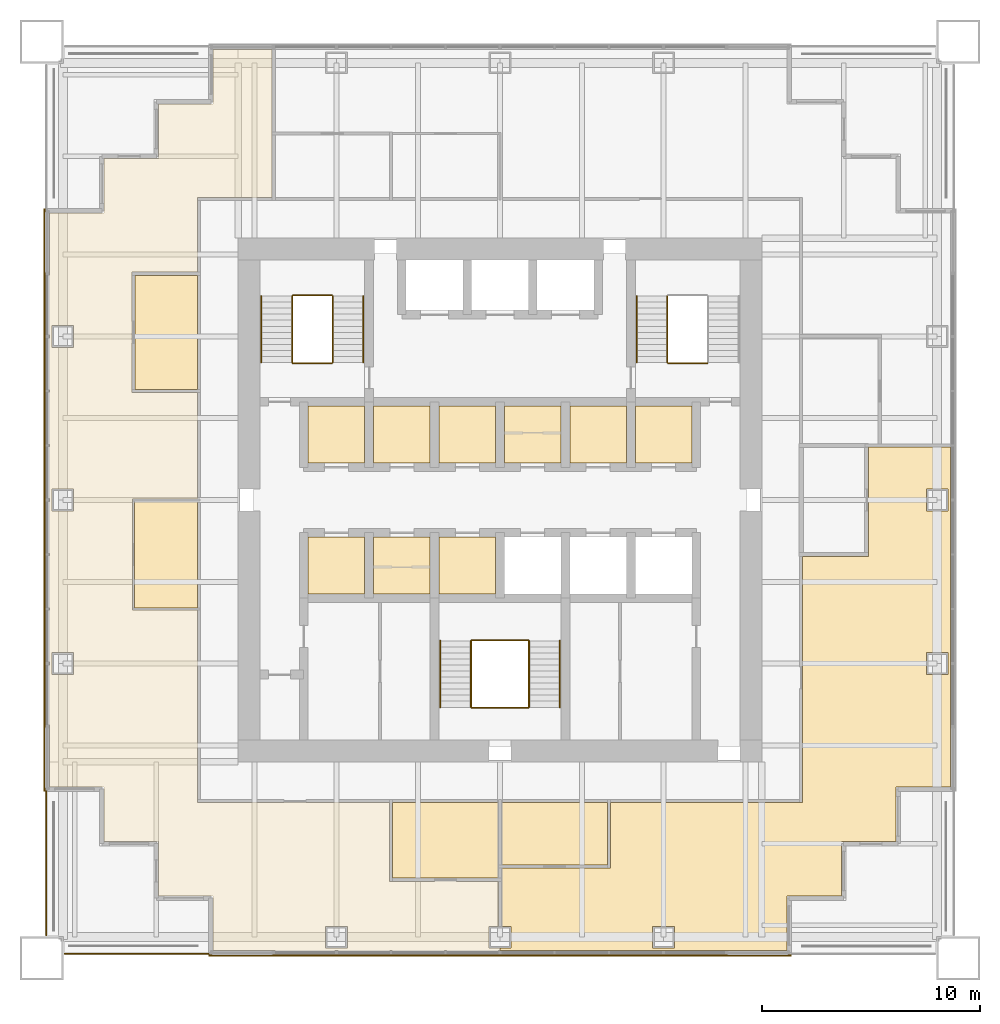
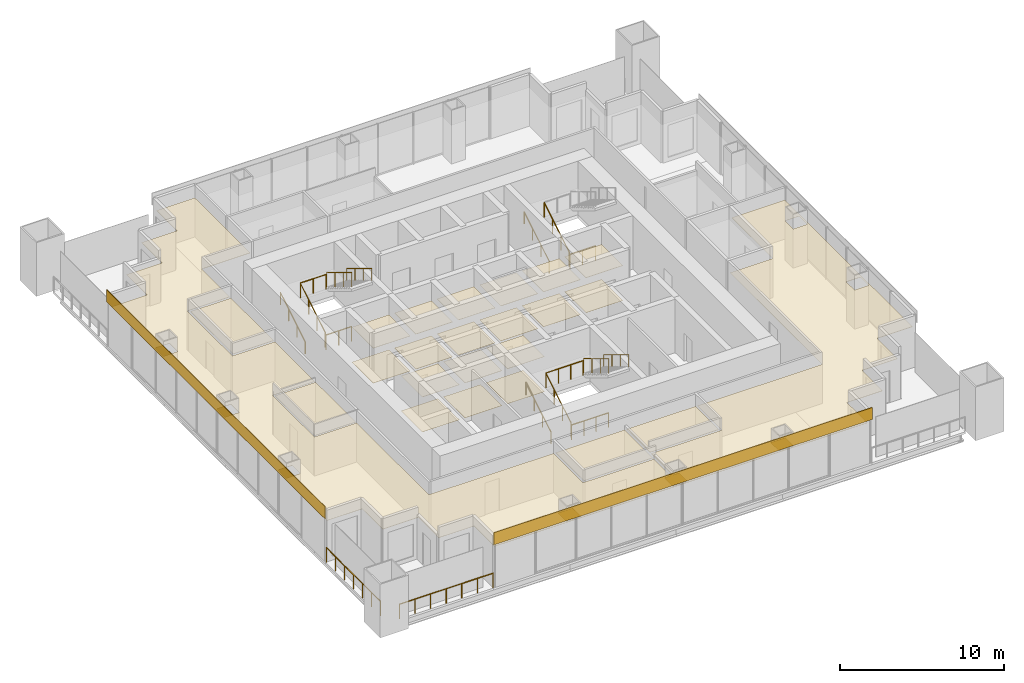
# One storey, part 13 of 14: 26 coverings, 17 railings.
"""IFC4 building model written with IfcOpenShell, lengths in metres."""

import ifcopenshell
import ifcopenshell.guid

model = None  # the IFC model being written
_history = None  # IfcOwnerHistory: only IFC2X3 demands one
_inside = {}  # id of a spatial element -> (the spatial element, [elements in it])
_under = {}  # id of a project, library or spatial element -> (it, [spatial elements below it])
_declared = {}  # id of a project -> (the project, [libraries it declares])
_typed = {}  # id of a type object -> (the type object, [elements of that type])
_made_of = {}  # id of a material, layer set ... -> (it, [elements and type objects made of it])


def new_model(schema):
    """Start an empty IFC model of exactly this schema.

    Asked for "IFC4X3", IfcOpenShell would pick the latest addendum, in which some entities
    have other attributes; the version numbers below select the first issue.
    IFC2X3 requires an IfcOwnerHistory on every rooted entity: one is made here for all.
    """
    global model, _history
    if schema == "IFC4X3":
        model = ifcopenshell.file(schema_version=(4, 3, 0, 0))
    else:
        model = ifcopenshell.file(schema=schema)
    _inside.clear()
    _under.clear()
    _declared.clear()
    _typed.clear()
    _made_of.clear()
    _history = None
    if model.schema == "IFC2X3":
        org = make("IfcOrganization", Name="unknown")
        user = make(
            "IfcPersonAndOrganization",
            ThePerson=make("IfcPerson", FamilyName="unknown"),
            TheOrganization=org,
        )
        app = make(
            "IfcApplication",
            ApplicationDeveloper=org,
            Version="unknown",
            ApplicationFullName="unknown",
            ApplicationIdentifier="unknown",
        )
        _history = make(
            "IfcOwnerHistory",
            OwningUser=user,
            OwningApplication=app,
            ChangeAction="ADDED",
            CreationDate=0,
        )
    return model


def make(cls, **values):
    """One entity of the class cls with the attributes given. An attribute that is None is left unset."""
    return model.create_entity(
        cls, **{name: value for name, value in values.items() if value is not None}
    )


def rooted(cls, **values):
    """An entity with a GlobalId (a new one), such as an element, a storey or a relation."""
    return make(cls, GlobalId=ifcopenshell.guid.new(), OwnerHistory=_history, **values)


def si_unit(unit_type, name, prefix=None):
    """IfcSIUnit, for example si_unit("LENGTHUNIT", "METRE", prefix="MILLI")."""
    return make("IfcSIUnit", UnitType=unit_type, Prefix=prefix, Name=name)


def assignment(units):
    """IfcUnitAssignment: the units of a project."""
    return None if units is None else make("IfcUnitAssignment", Units=units)


def point(xyz):
    """IfcCartesianPoint."""
    return None if xyz is None else make("IfcCartesianPoint", Coordinates=xyz)


def direction(xyz):
    """IfcDirection."""
    return None if xyz is None else make("IfcDirection", DirectionRatios=xyz)


def frame(location, z_axis=None, x_axis=None):
    """IfcAxis2Placement3D, a coordinate frame: its origin and axes. An axis left out is left unset."""
    return make(
        "IfcAxis2Placement3D",
        Location=point(location),
        Axis=direction(z_axis),
        RefDirection=direction(x_axis),
    )


def frame_2d(location, x_axis=None):
    """IfcAxis2Placement2D, a coordinate frame in the plane: its origin and x axis."""
    return make(
        "IfcAxis2Placement2D", Location=point(location), RefDirection=direction(x_axis)
    )


def origin():
    """The frame at (0, 0, 0) with its axes left unset."""
    return frame((0.0, 0.0, 0.0))


def origin_2d():
    """The frame at (0, 0) in the plane with its x axis left unset."""
    return frame_2d((0.0, 0.0))


def place(relative_to, where):
    """IfcLocalPlacement: puts the frame where relative to a parent placement (None: the world)."""
    return make(
        "IfcLocalPlacement", PlacementRelTo=relative_to, RelativePlacement=where
    )


def context(
    kind, dimensions, precision=None, world=None, true_north=None, identifier=None
):
    """IfcGeometricRepresentationContext, for example the 3D "Model" context."""
    return make(
        "IfcGeometricRepresentationContext",
        ContextIdentifier=identifier,
        ContextType=kind,
        CoordinateSpaceDimension=dimensions,
        Precision=precision,
        WorldCoordinateSystem=world,
        TrueNorth=true_north,
    )


def subcontext(parent, identifier, kind, view, scale=None):
    """IfcGeometricRepresentationSubContext, for example "Body" below "Model"."""
    return make(
        "IfcGeometricRepresentationSubContext",
        ContextIdentifier=identifier,
        ContextType=kind,
        ParentContext=parent,
        TargetScale=scale,
        TargetView=view,
    )


def project(units=None, contexts=None):
    """IfcProject with its units and contexts."""
    return rooted(
        "IfcProject",
        Name="project",
        RepresentationContexts=contexts,
        UnitsInContext=assignment(units),
    )


def spatial(cls, under=None, at=None, **own):
    """A site, building, storey or space (cls), placed at a placement, below another one or the project."""
    s = rooted(cls, ObjectPlacement=at, **own)
    if under is not None:
        _under.setdefault(under.id(), (under, []))[1].append(s)
    return s


def polyline(points):
    """IfcPolyline through the points."""
    return make("IfcPolyline", Points=[point(p) for p in points])


def profile(cls, at=None, kind="AREA", **sizes):
    """A parametric profile (cls). Its sizes go by their IFC names, for example OverallWidth=200.0."""
    return make(cls, ProfileType=kind, Position=at, **sizes)


def rectangle(**sizes):
    """IfcRectangleProfileDef."""
    return profile("IfcRectangleProfileDef", **sizes)


def circle(**sizes):
    """IfcCircleProfileDef."""
    return profile("IfcCircleProfileDef", **sizes)


def outline(outer, holes=None, kind="AREA"):
    """IfcArbitraryClosedProfileDef: a profile drawn as a closed curve; with holes, ...WithVoids."""
    if holes is None:
        return make("IfcArbitraryClosedProfileDef", ProfileType=kind, OuterCurve=outer)
    return make(
        "IfcArbitraryProfileDefWithVoids",
        ProfileType=kind,
        OuterCurve=outer,
        InnerCurves=holes,
    )


def extrude(swept, where, along, depth):
    """IfcExtrudedAreaSolid: the profile swept, set in the frame where, extruded along a direction by depth."""
    return make(
        "IfcExtrudedAreaSolid",
        SweptArea=swept,
        Position=where,
        ExtrudedDirection=direction(along),
        Depth=depth,
    )


def shape(context_of_items, identifier, shape_type, items):
    """IfcShapeRepresentation: the items that make up one representation, for example the "Body"."""
    return make(
        "IfcShapeRepresentation",
        ContextOfItems=context_of_items,
        RepresentationIdentifier=identifier,
        RepresentationType=shape_type,
        Items=items,
    )


def material(Name=None, Category=None):
    """IfcMaterial."""
    return make("IfcMaterial", Name=Name, Category=Category)


def layer(
    of_material, thickness, ventilated=None, Name=None, Category=None, Priority=None
):
    """IfcMaterialLayer: one layer of a wall or slab, of a material (None: an air gap)."""
    return make(
        "IfcMaterialLayer",
        Material=of_material,
        LayerThickness=thickness,
        IsVentilated=ventilated,
        Name=Name,
        Category=Category,
        Priority=Priority,
    )


def layer_set(layers, Name=None):
    """IfcMaterialLayerSet."""
    return make("IfcMaterialLayerSet", MaterialLayers=layers, LayerSetName=Name)


def made_of(thing, what):
    """Note that an element or type object is made of a material, layer set ...; save() writes the relation."""
    if what is not None:
        _made_of.setdefault(what.id(), (what, []))[1].append(thing)
    return thing


def type_object(cls, material=None, **own):
    """A type object (cls), such as IfcWallType, which elements share."""
    return made_of(rooted(cls, **own), material)


def element(
    cls,
    number,
    at=None,
    inside=None,
    cuts=None,
    type_object=None,
    material=None,
    context=None,
    identifier="Body",
    shape_type=None,
    held_by="IfcProductDefinitionShape",
    body=None,
    shapes=None,
    **own,
):
    """One element of the class cls, such as IfcWall. Its Tag is "e" and its number.

    at: its placement. inside: the storey or other place that contains it. cuts: it is an
    opening in that element (IfcRelVoidsElement). A single representation is given by context,
    identifier, shape_type and body (its items); several are given by shapes. held_by: the class
    of the entity that holds the representations. save() writes the other relations.
    """
    e = rooted(cls, Tag="e%d" % number, ObjectPlacement=at, **own)
    if body is not None:
        shapes = [shape(context, identifier, shape_type, body)]
    if shapes is not None:
        e.Representation = make(held_by, Representations=shapes)
    if inside is not None:
        _inside.setdefault(inside.id(), (inside, []))[1].append(e)
    if cuts is not None:
        rooted(
            "IfcRelVoidsElement", RelatingBuildingElement=cuts, RelatedOpeningElement=e
        )
    if type_object is not None:
        _typed.setdefault(type_object.id(), (type_object, []))[1].append(e)
    return made_of(e, material)


def aggregate(whole, parts):
    """IfcRelAggregates: a whole, such as a stair, and the parts it consists of."""
    return rooted("IfcRelAggregates", RelatingObject=whole, RelatedObjects=parts)


def save(model, path):
    """Write the relations noted so far, then the file.

    IfcRelAggregates (storeys below a building ...), IfcRelContainedInSpatialStructure (elements
    in a storey), IfcRelDefinesByType, IfcRelAssociatesMaterial and IfcRelDeclares: one each for
    every whole, place, type object, material and project.
    """
    for whole, parts in _under.values():
        aggregate(whole, parts)
    for where, things in _inside.values():
        rooted(
            "IfcRelContainedInSpatialStructure",
            RelatedElements=things,
            RelatingStructure=where,
        )
    for kind, things in _typed.values():
        rooted("IfcRelDefinesByType", RelatedObjects=things, RelatingType=kind)
    for what, things in _made_of.values():
        rooted("IfcRelAssociatesMaterial", RelatedObjects=things, RelatingMaterial=what)
    for by, libraries in _declared.values():
        rooted("IfcRelDeclares", RelatingContext=by, RelatedDefinitions=libraries)
    model.write(path)


model = new_model("IFC4")

# Units and contexts
model_context = context("Model", 3, precision=1e-05, world=origin(), true_north=direction((0.0, 1.0)))
body_context = subcontext(model_context, "Body", "Model", "MODEL_VIEW")
ifc_project = project(units=[si_unit("LENGTHUNIT", "METRE"), si_unit("AREAUNIT", "SQUARE_METRE"), si_unit("VOLUMEUNIT", "CUBIC_METRE"), si_unit("PLANEANGLEUNIT", "RADIAN"), si_unit("MASSUNIT", "GRAM", prefix="KILO")], contexts=[model_context])

# Site, building, storey
site_placement = place(None, origin())
site = spatial("IfcSite", under=ifc_project, at=site_placement, CompositionType="ELEMENT")
building_placement = place(site_placement, origin())
building = spatial("IfcBuilding", under=site, at=building_placement, Name="Tarangal Relay Tower", CompositionType="ELEMENT")
storey_placement = place(building_placement, frame((0.0, 0.0, 263.89990234375)))
storey = spatial("IfcBuildingStorey", under=building, at=storey_placement, Name="L57", CompositionType="ELEMENT", Elevation=263.89990234375)

# Coverings
ifc_material_1 = material(Name="Anti-static vinyl flooring", Category="plastic")
ifc_layer_1 = layer(ifc_material_1, 0.010009765625)
ifc_layer_set_1 = layer_set([ifc_layer_1], Name="Anti-static vinyl floor")
covering_type_1 = type_object("IfcCoveringType", Name="Anti-static vinyl floor", PredefinedType="FLOORING", material=ifc_layer_set_1)
covering_1_placement = place(storey_placement, origin())
element("IfcCovering", 1, at=covering_1_placement, inside=storey, type_object=covering_type_1, Name="Floor finish FL1 L57-D1", PredefinedType="FLOORING", context=body_context, shape_type="SweptSolid", body=[
    extrude(outline(polyline([(-8.800048828125, 1.699951171875), (-6.199951171875, 1.699951171875), (-6.199951171875, 4.300048828125), (-8.800048828125, 4.300048828125), (-8.800048828125, 1.699951171875)])), origin(), (0.0, 0.0, 1.0), 0.010009765625),
])
covering_2_placement = place(storey_placement, origin())
element("IfcCovering", 2, at=covering_2_placement, inside=storey, type_object=covering_type_1, Name="Floor finish FL1 L57-D2", PredefinedType="FLOORING", context=body_context, shape_type="SweptSolid", body=[
    extrude(outline(polyline([(-5.800048828125, 1.699951171875), (-3.199951171875, 1.699951171875), (-3.199951171875, 4.300048828125), (-5.800048828125, 4.300048828125), (-5.800048828125, 1.699951171875)])), origin(), (0.0, 0.0, 1.0), 0.010009765625),
])
covering_3_placement = place(storey_placement, origin())
element("IfcCovering", 3, at=covering_3_placement, inside=storey, type_object=covering_type_1, Name="Floor finish FL1 L57-D3", PredefinedType="FLOORING", context=body_context, shape_type="SweptSolid", body=[
    extrude(outline(polyline([(-2.800048828125, 1.699951171875), (-0.199951171875, 1.699951171875), (-0.199951171875, 4.300048828125), (-2.800048828125, 4.300048828125), (-2.800048828125, 1.699951171875)])), origin(), (0.0, 0.0, 1.0), 0.010009765625),
])
covering_4_placement = place(storey_placement, origin())
element("IfcCovering", 4, at=covering_4_placement, inside=storey, type_object=covering_type_1, Name="Floor finish FL1 L57-T1", PredefinedType="FLOORING", context=body_context, shape_type="SweptSolid", body=[
    extrude(outline(polyline([(0.199951171875, 1.699951171875), (2.800048828125, 1.699951171875), (2.800048828125, 4.300048828125), (0.199951171875, 4.300048828125), (0.199951171875, 1.699951171875)])), origin(), (0.0, 0.0, 1.0), 0.010009765625),
])
covering_5_placement = place(storey_placement, origin())
element("IfcCovering", 5, at=covering_5_placement, inside=storey, type_object=covering_type_1, Name="Floor finish FL1 L57-T2", PredefinedType="FLOORING", context=body_context, shape_type="SweptSolid", body=[
    extrude(outline(polyline([(3.199951171875, 1.699951171875), (5.800048828125, 1.699951171875), (5.800048828125, 4.300048828125), (3.199951171875, 4.300048828125), (3.199951171875, 1.699951171875)])), origin(), (0.0, 0.0, 1.0), 0.010009765625),
])
covering_6_placement = place(storey_placement, origin())
element("IfcCovering", 6, at=covering_6_placement, inside=storey, type_object=covering_type_1, Name="Floor finish FL1 L57-T3", PredefinedType="FLOORING", context=body_context, shape_type="SweptSolid", body=[
    extrude(outline(polyline([(6.199951171875, 1.699951171875), (8.800048828125, 1.699951171875), (8.800048828125, 4.300048828125), (6.199951171875, 4.300048828125), (6.199951171875, 1.699951171875)])), origin(), (0.0, 0.0, 1.0), 0.010009765625),
])
covering_7_placement = place(storey_placement, origin())
element("IfcCovering", 7, at=covering_7_placement, inside=storey, type_object=covering_type_1, Name="Floor finish FL1 L57-S1", PredefinedType="FLOORING", context=body_context, shape_type="SweptSolid", body=[
    extrude(outline(polyline([(-8.800048828125, -4.300048828125), (-6.199951171875, -4.300048828125), (-6.199951171875, -1.699951171875), (-8.800048828125, -1.699951171875), (-8.800048828125, -4.300048828125)])), origin(), (0.0, 0.0, 1.0), 0.010009765625),
])
covering_8_placement = place(storey_placement, origin())
element("IfcCovering", 8, at=covering_8_placement, inside=storey, type_object=covering_type_1, Name="Floor finish FL1 L57-S2", PredefinedType="FLOORING", context=body_context, shape_type="SweptSolid", body=[
    extrude(outline(polyline([(-5.800048828125, -4.300048828125), (-3.199951171875, -4.300048828125), (-3.199951171875, -1.699951171875), (-5.800048828125, -1.699951171875), (-5.800048828125, -4.300048828125)])), origin(), (0.0, 0.0, 1.0), 0.010009765625),
])
covering_9_placement = place(storey_placement, origin())
element("IfcCovering", 9, at=covering_9_placement, inside=storey, type_object=covering_type_1, Name="Floor finish FL1 L57-S3", PredefinedType="FLOORING", context=body_context, shape_type="SweptSolid", body=[
    extrude(outline(polyline([(-2.800048828125, -4.300048828125), (-0.199951171875, -4.300048828125), (-0.199951171875, -1.699951171875), (-2.800048828125, -1.699951171875), (-2.800048828125, -4.300048828125)])), origin(), (0.0, 0.0, 1.0), 0.010009765625),
])
ifc_material_2 = material(Name="Black anodised aluminium cladding", Category="aluminium")
ifc_layer_2 = layer(ifc_material_2, 0.050048828125)
ifc_layer_set_2 = layer_set([ifc_layer_2], Name="Black metal spandrel band")
covering_type_2 = type_object("IfcCoveringType", Name="Black metal spandrel band", PredefinedType="CLADDING", material=ifc_layer_set_2)
for number, where, z_axis, x_axis, name in (
    (10, (0.0, -20.875, 3.250244140625), (0.0, 0.0, 1.0), (-1.0, 0.0, 0.0), "Spandrel band SB1 S L57"),
    (11, (-20.875, 0.0, 3.250244140625), (0.0, 0.0, 1.0), (0.0, 1.0, 0.0), "Spandrel band SB1 W L57"),
):
    element("IfcCovering", number, at=place(storey_placement, frame(where, z_axis=z_axis, x_axis=x_axis)), inside=storey, type_object=covering_type_2, Name=name, PredefinedType="CLADDING", context=body_context, shape_type="SweptSolid", body=[
        extrude(rectangle(XDim=26.699951171875, YDim=0.050048828125, at=origin_2d()), origin(), (0.0, 0.0, 1.0), 0.89990234375),
    ])

# Railings
ifc_material_3 = material(Name="Steel guard, black finish", Category="steel")
railing_type_1 = type_object("IfcRailingType", Name="Stair guard 1100", PredefinedType="GUARDRAIL", material=ifc_material_3)
railing_1_placement = place(storey_placement, frame((-9.530029296875, 6.300048828125, 0.166748046875)))
element("IfcRailing", 12, at=railing_1_placement, inside=storey, type_object=railing_type_1, Name="Stair ST-A guard GR1 L57 flight 1", PredefinedType="GUARDRAIL", context=body_context, shape_type="SweptSolid", body=[
    extrude(circle(Radius=0.02392578125, at=origin_2d()), frame((0.0, 0.0, 1.076171875), z_axis=(0.0, 0.85685617095, 0.515555527858), x_axis=(-1.0, 0.0, 0.0)), (0.0, 0.0, 1.0), 3.555908203125),
    extrude(circle(Radius=0.02099609375, at=origin_2d()), origin(), (0.0, 0.0, 1.0), 1.052001953125),
    extrude(circle(Radius=0.02099609375, at=origin_2d()), frame((0.0, 1.015625, 0.611083984375)), (0.0, 0.0, 1.0), 1.052001953125),
    extrude(circle(Radius=0.02099609375, at=origin_2d()), frame((0.0, 2.03125, 1.22216796875)), (0.0, 0.0, 1.0), 1.052001953125),
    extrude(circle(Radius=0.02099609375, at=origin_2d()), frame((0.0, 3.046875, 1.833251953125)), (0.0, 0.0, 1.0), 1.052001953125),
])
railing_2_placement = place(storey_placement, frame((-7.669921875, 9.346923828125, 2.166748046875)))
element("IfcRailing", 13, at=railing_2_placement, inside=storey, type_object=railing_type_1, Name="Stair ST-A guard GR1 L57 flight 2", PredefinedType="GUARDRAIL", context=body_context, shape_type="SweptSolid", body=[
    extrude(circle(Radius=0.02392578125, at=origin_2d()), frame((0.0, 0.0, 1.076171875), z_axis=(0.0, -0.85685617095, 0.515555527858), x_axis=(1.0, 0.0, 0.0)), (0.0, 0.0, 1.0), 3.555908203125),
    extrude(circle(Radius=0.02099609375, at=origin_2d()), origin(), (0.0, 0.0, 1.0), 1.052001953125),
    extrude(circle(Radius=0.02099609375, at=origin_2d()), frame((0.0, -1.015625, 0.611083984375)), (0.0, 0.0, 1.0), 1.052001953125),
    extrude(circle(Radius=0.02099609375, at=origin_2d()), frame((0.0, -2.03125, 1.22216796875)), (0.0, 0.0, 1.0), 1.052001953125),
    extrude(circle(Radius=0.02099609375, at=origin_2d()), frame((0.0, -3.046875, 1.833251953125)), (0.0, 0.0, 1.0), 1.052001953125),
])
for number, where, name in (
    (14, (-9.5, 6.27001953125, 0.0), "Stair ST-A landing guard GR1 L57"),
    (15, (-9.5, 9.376953125, 2.0), "Stair ST-A landing guard GR1 L57"),
):
    element("IfcRailing", number, at=place(storey_placement, frame(where)), inside=storey, type_object=railing_type_1, Name=name, PredefinedType="GUARDRAIL", context=body_context, shape_type="SweptSolid", body=[
        extrude(circle(Radius=0.02392578125, at=origin_2d()), frame((0.0, 0.0, 1.076171875), z_axis=(1.0, 0.0, 0.0), x_axis=(0.0, 1.0, 0.0)), (0.0, 0.0, 1.0), 1.800048828125),
        extrude(circle(Radius=0.02099609375, at=origin_2d()), origin(), (0.0, 0.0, 1.0), 1.052001953125),
        extrude(circle(Radius=0.02099609375, at=origin_2d()), frame((0.89990234375, 0.0, 0.0)), (0.0, 0.0, 1.0), 1.052001953125),
        extrude(circle(Radius=0.02099609375, at=origin_2d()), frame((1.800048828125, 0.0, 0.0)), (0.0, 0.0, 1.0), 1.052001953125),
    ])
railing_3_placement = place(storey_placement, frame((7.669921875, 6.300048828125, 0.166748046875)))
element("IfcRailing", 16, at=railing_3_placement, inside=storey, type_object=railing_type_1, Name="Stair ST-B guard GR1 L57 flight 1", PredefinedType="GUARDRAIL", context=body_context, shape_type="SweptSolid", body=[
    extrude(circle(Radius=0.02392578125, at=origin_2d()), frame((0.0, 0.0, 1.076171875), z_axis=(0.0, 0.85685617095, 0.515555527858), x_axis=(-1.0, 0.0, 0.0)), (0.0, 0.0, 1.0), 3.555908203125),
    extrude(circle(Radius=0.02099609375, at=origin_2d()), origin(), (0.0, 0.0, 1.0), 1.052001953125),
    extrude(circle(Radius=0.02099609375, at=origin_2d()), frame((0.0, 1.015625, 0.611083984375)), (0.0, 0.0, 1.0), 1.052001953125),
    extrude(circle(Radius=0.02099609375, at=origin_2d()), frame((0.0, 2.03125, 1.22216796875)), (0.0, 0.0, 1.0), 1.052001953125),
    extrude(circle(Radius=0.02099609375, at=origin_2d()), frame((0.0, 3.046875, 1.833251953125)), (0.0, 0.0, 1.0), 1.052001953125),
])
railing_4_placement = place(storey_placement, frame((7.699951171875, 6.27001953125, 0.0)))
element("IfcRailing", 17, at=railing_4_placement, inside=storey, type_object=railing_type_1, Name="Stair ST-B landing guard GR1 L57", PredefinedType="GUARDRAIL", context=body_context, shape_type="SweptSolid", body=[
    extrude(circle(Radius=0.02392578125, at=origin_2d()), frame((0.0, 0.0, 1.076171875), z_axis=(1.0, 0.0, 0.0), x_axis=(0.0, 1.0, 0.0)), (0.0, 0.0, 1.0), 1.800048828125),
    extrude(circle(Radius=0.02099609375, at=origin_2d()), origin(), (0.0, 0.0, 1.0), 1.052001953125),
    extrude(circle(Radius=0.02099609375, at=origin_2d()), frame((0.89990234375, 0.0, 0.0)), (0.0, 0.0, 1.0), 1.052001953125),
    extrude(circle(Radius=0.02099609375, at=origin_2d()), frame((1.800048828125, 0.0, 0.0)), (0.0, 0.0, 1.0), 1.052001953125),
])
railing_5_placement = place(storey_placement, frame((-1.330078125, -9.5, 0.166748046875)))
element("IfcRailing", 18, at=railing_5_placement, inside=storey, type_object=railing_type_1, Name="Stair ST-C guard GR1 L57 flight 1", PredefinedType="GUARDRAIL", context=body_context, shape_type="SweptSolid", body=[
    extrude(circle(Radius=0.02392578125, at=origin_2d()), frame((0.0, 0.0, 1.076171875), z_axis=(0.0, 0.856874418557, 0.515525199018), x_axis=(-1.0, 0.0, 0.0)), (0.0, 0.0, 1.0), 3.55615234375),
    extrude(circle(Radius=0.02099609375, at=origin_2d()), origin(), (0.0, 0.0, 1.0), 1.052001953125),
    extrude(circle(Radius=0.02099609375, at=origin_2d()), frame((0.0, 1.015625, 0.611083984375)), (0.0, 0.0, 1.0), 1.052001953125),
    extrude(circle(Radius=0.02099609375, at=origin_2d()), frame((0.0, 2.031494140625, 1.22216796875)), (0.0, 0.0, 1.0), 1.052001953125),
    extrude(circle(Radius=0.02099609375, at=origin_2d()), frame((0.0, 3.047119140625, 1.833251953125)), (0.0, 0.0, 1.0), 1.052001953125),
])
railing_6_placement = place(storey_placement, frame((1.330078125, -6.452880859375, 2.166748046875)))
element("IfcRailing", 19, at=railing_6_placement, inside=storey, type_object=railing_type_1, Name="Stair ST-C guard GR1 L57 flight 2", PredefinedType="GUARDRAIL", context=body_context, shape_type="SweptSolid", body=[
    extrude(circle(Radius=0.02392578125, at=origin_2d()), frame((0.0, 0.0, 1.076171875), z_axis=(0.0, -0.856874418557, 0.515525199018), x_axis=(1.0, 0.0, 0.0)), (0.0, 0.0, 1.0), 3.55615234375),
    extrude(circle(Radius=0.02099609375, at=origin_2d()), origin(), (0.0, 0.0, 1.0), 1.052001953125),
    extrude(circle(Radius=0.02099609375, at=origin_2d()), frame((0.0, -1.015625, 0.611083984375)), (0.0, 0.0, 1.0), 1.052001953125),
    extrude(circle(Radius=0.02099609375, at=origin_2d()), frame((0.0, -2.031494140625, 1.22216796875)), (0.0, 0.0, 1.0), 1.052001953125),
    extrude(circle(Radius=0.02099609375, at=origin_2d()), frame((0.0, -3.047119140625, 1.833251953125)), (0.0, 0.0, 1.0), 1.052001953125),
])
for number, where, name in (
    (20, (-1.300048828125, -9.530029296875, 0.0), "Stair ST-C landing guard GR1 L57"),
    (21, (-1.300048828125, -6.423095703125, 2.0), "Stair ST-C landing guard GR1 L57"),
):
    element("IfcRailing", number, at=place(storey_placement, frame(where)), inside=storey, type_object=railing_type_1, Name=name, PredefinedType="GUARDRAIL", context=body_context, shape_type="SweptSolid", body=[
        extrude(circle(Radius=0.02392578125, at=origin_2d()), frame((0.0, 0.0, 1.076171875), z_axis=(1.0, 0.0, 0.0), x_axis=(0.0, 1.0, 0.0)), (0.0, 0.0, 1.0), 2.60009765625),
        extrude(circle(Radius=0.02099609375, at=origin_2d()), origin(), (0.0, 0.0, 1.0), 1.052001953125),
        extrude(circle(Radius=0.02099609375, at=origin_2d()), frame((0.86669921875, 0.0, 0.0)), (0.0, 0.0, 1.0), 1.052001953125),
        extrude(circle(Radius=0.02099609375, at=origin_2d()), frame((1.7333984375, 0.0, 0.0)), (0.0, 0.0, 1.0), 1.052001953125),
        extrude(circle(Radius=0.02099609375, at=origin_2d()), frame((2.60009765625, 0.0, 0.0)), (0.0, 0.0, 1.0), 1.052001953125),
    ])
ifc_material_4 = material(Name="Steel handrail, black finish", Category="steel")
railing_type_2 = type_object("IfcRailingType", Name="Stair handrail 900", PredefinedType="HANDRAIL", material=ifc_material_4)
railing_7_placement = place(storey_placement, frame((-10.93994140625, 6.300048828125, 0.166748046875)))
element("IfcRailing", 22, at=railing_7_placement, inside=storey, type_object=railing_type_2, Name="Stair ST-A handrail HR1 L57 flight 1", PredefinedType="HANDRAIL", context=body_context, shape_type="SweptSolid", body=[
    extrude(circle(Radius=0.02392578125, at=origin_2d()), frame((0.0, 0.0, 0.8759765625), z_axis=(0.0, 0.85685617095, 0.515555527858), x_axis=(-1.0, 0.0, 0.0)), (0.0, 0.0, 1.0), 3.555908203125),
    extrude(circle(Radius=0.02099609375, at=origin_2d()), origin(), (0.0, 0.0, 1.0), 0.851806640625),
    extrude(circle(Radius=0.02099609375, at=origin_2d()), frame((0.0, 1.015625, 0.611083984375)), (0.0, 0.0, 1.0), 0.851806640625),
    extrude(circle(Radius=0.02099609375, at=origin_2d()), frame((0.0, 2.03125, 1.22216796875)), (0.0, 0.0, 1.0), 0.851806640625),
    extrude(circle(Radius=0.02099609375, at=origin_2d()), frame((0.0, 3.046875, 1.833251953125)), (0.0, 0.0, 1.0), 0.851806640625),
])
railing_8_placement = place(storey_placement, frame((-6.260009765625, 9.346923828125, 2.166748046875)))
element("IfcRailing", 23, at=railing_8_placement, inside=storey, type_object=railing_type_2, Name="Stair ST-A handrail HR1 L57 flight 2", PredefinedType="HANDRAIL", context=body_context, shape_type="SweptSolid", body=[
    extrude(circle(Radius=0.02392578125, at=origin_2d()), frame((0.0, 0.0, 0.8759765625), z_axis=(0.0, -0.85685617095, 0.515555527858), x_axis=(1.0, 0.0, 0.0)), (0.0, 0.0, 1.0), 3.555908203125),
    extrude(circle(Radius=0.02099609375, at=origin_2d()), origin(), (0.0, 0.0, 1.0), 0.851806640625),
    extrude(circle(Radius=0.02099609375, at=origin_2d()), frame((0.0, -1.015625, 0.611083984375)), (0.0, 0.0, 1.0), 0.851806640625),
    extrude(circle(Radius=0.02099609375, at=origin_2d()), frame((0.0, -2.03125, 1.22216796875)), (0.0, 0.0, 1.0), 0.851806640625),
    extrude(circle(Radius=0.02099609375, at=origin_2d()), frame((0.0, -3.046875, 1.833251953125)), (0.0, 0.0, 1.0), 0.851806640625),
])
railing_9_placement = place(storey_placement, frame((6.260009765625, 6.300048828125, 0.166748046875)))
element("IfcRailing", 24, at=railing_9_placement, inside=storey, type_object=railing_type_2, Name="Stair ST-B handrail HR1 L57 flight 1", PredefinedType="HANDRAIL", context=body_context, shape_type="SweptSolid", body=[
    extrude(circle(Radius=0.02392578125, at=origin_2d()), frame((0.0, 0.0, 0.8759765625), z_axis=(0.0, 0.85685617095, 0.515555527858), x_axis=(-1.0, 0.0, 0.0)), (0.0, 0.0, 1.0), 3.555908203125),
    extrude(circle(Radius=0.02099609375, at=origin_2d()), origin(), (0.0, 0.0, 1.0), 0.851806640625),
    extrude(circle(Radius=0.02099609375, at=origin_2d()), frame((0.0, 1.015625, 0.611083984375)), (0.0, 0.0, 1.0), 0.851806640625),
    extrude(circle(Radius=0.02099609375, at=origin_2d()), frame((0.0, 2.03125, 1.22216796875)), (0.0, 0.0, 1.0), 0.851806640625),
    extrude(circle(Radius=0.02099609375, at=origin_2d()), frame((0.0, 3.046875, 1.833251953125)), (0.0, 0.0, 1.0), 0.851806640625),
])
railing_10_placement = place(storey_placement, frame((-2.739990234375, -9.5, 0.166748046875)))
element("IfcRailing", 25, at=railing_10_placement, inside=storey, type_object=railing_type_2, Name="Stair ST-C handrail HR1 L57 flight 1", PredefinedType="HANDRAIL", context=body_context, shape_type="SweptSolid", body=[
    extrude(circle(Radius=0.02392578125, at=origin_2d()), frame((0.0, 0.0, 0.8759765625), z_axis=(0.0, 0.856874418557, 0.515525199018), x_axis=(-1.0, 0.0, 0.0)), (0.0, 0.0, 1.0), 3.55615234375),
    extrude(circle(Radius=0.02099609375, at=origin_2d()), origin(), (0.0, 0.0, 1.0), 0.851806640625),
    extrude(circle(Radius=0.02099609375, at=origin_2d()), frame((0.0, 1.015625, 0.611083984375)), (0.0, 0.0, 1.0), 0.851806640625),
    extrude(circle(Radius=0.02099609375, at=origin_2d()), frame((0.0, 2.031494140625, 1.22216796875)), (0.0, 0.0, 1.0), 0.851806640625),
    extrude(circle(Radius=0.02099609375, at=origin_2d()), frame((0.0, 3.047119140625, 1.833251953125)), (0.0, 0.0, 1.0), 0.851806640625),
])
railing_11_placement = place(storey_placement, frame((2.739990234375, -6.452880859375, 2.166748046875)))
element("IfcRailing", 26, at=railing_11_placement, inside=storey, type_object=railing_type_2, Name="Stair ST-C handrail HR1 L57 flight 2", PredefinedType="HANDRAIL", context=body_context, shape_type="SweptSolid", body=[
    extrude(circle(Radius=0.02392578125, at=origin_2d()), frame((0.0, 0.0, 0.8759765625), z_axis=(0.0, -0.856874418557, 0.515525199018), x_axis=(1.0, 0.0, 0.0)), (0.0, 0.0, 1.0), 3.55615234375),
    extrude(circle(Radius=0.02099609375, at=origin_2d()), origin(), (0.0, 0.0, 1.0), 0.851806640625),
    extrude(circle(Radius=0.02099609375, at=origin_2d()), frame((0.0, -1.015625, 0.611083984375)), (0.0, 0.0, 1.0), 0.851806640625),
    extrude(circle(Radius=0.02099609375, at=origin_2d()), frame((0.0, -2.031494140625, 1.22216796875)), (0.0, 0.0, 1.0), 0.851806640625),
    extrude(circle(Radius=0.02099609375, at=origin_2d()), frame((0.0, -3.047119140625, 1.833251953125)), (0.0, 0.0, 1.0), 0.851806640625),
])

# Coverings
ifc_material_5 = material(Name="Mineral fibre ceiling tiles", Category="gypsum")
ifc_layer_3 = layer(ifc_material_5, 0.02001953125)
ifc_layer_set_3 = layer_set([ifc_layer_3], Name="Suspended ceiling")
covering_type_3 = type_object("IfcCoveringType", Name="Suspended ceiling", PredefinedType="CEILING", material=ifc_layer_set_3)
covering_10_placement = place(storey_placement, frame((0.0, 0.0, 2.60009765625)))
element("IfcCovering", 27, at=covering_10_placement, inside=storey, type_object=covering_type_3, Name="Suspended ceiling CL1 L57-D1", PredefinedType="CEILING", context=body_context, shape_type="SweptSolid", body=[
    extrude(outline(polyline([(-8.800048828125, 1.699951171875), (-6.199951171875, 1.699951171875), (-6.199951171875, 4.300048828125), (-8.800048828125, 4.300048828125), (-8.800048828125, 1.699951171875)])), origin(), (0.0, 0.0, 1.0), 0.02001953125),
])
covering_11_placement = place(storey_placement, frame((0.0, 0.0, 2.60009765625)))
element("IfcCovering", 28, at=covering_11_placement, inside=storey, type_object=covering_type_3, Name="Suspended ceiling CL1 L57-D2", PredefinedType="CEILING", context=body_context, shape_type="SweptSolid", body=[
    extrude(outline(polyline([(-5.800048828125, 1.699951171875), (-3.199951171875, 1.699951171875), (-3.199951171875, 4.300048828125), (-5.800048828125, 4.300048828125), (-5.800048828125, 1.699951171875)])), origin(), (0.0, 0.0, 1.0), 0.02001953125),
])
covering_12_placement = place(storey_placement, frame((0.0, 0.0, 2.60009765625)))
element("IfcCovering", 29, at=covering_12_placement, inside=storey, type_object=covering_type_3, Name="Suspended ceiling CL1 L57-D3", PredefinedType="CEILING", context=body_context, shape_type="SweptSolid", body=[
    extrude(outline(polyline([(-2.800048828125, 1.699951171875), (-0.199951171875, 1.699951171875), (-0.199951171875, 4.300048828125), (-2.800048828125, 4.300048828125), (-2.800048828125, 1.699951171875)])), origin(), (0.0, 0.0, 1.0), 0.02001953125),
])
covering_13_placement = place(storey_placement, frame((0.0, 0.0, 2.60009765625)))
element("IfcCovering", 30, at=covering_13_placement, inside=storey, type_object=covering_type_3, Name="Suspended ceiling CL1 L57-T1", PredefinedType="CEILING", context=body_context, shape_type="SweptSolid", body=[
    extrude(outline(polyline([(0.199951171875, 1.699951171875), (2.800048828125, 1.699951171875), (2.800048828125, 4.300048828125), (0.199951171875, 4.300048828125), (0.199951171875, 1.699951171875)])), origin(), (0.0, 0.0, 1.0), 0.02001953125),
])
covering_14_placement = place(storey_placement, frame((0.0, 0.0, 2.60009765625)))
element("IfcCovering", 31, at=covering_14_placement, inside=storey, type_object=covering_type_3, Name="Suspended ceiling CL1 L57-T2", PredefinedType="CEILING", context=body_context, shape_type="SweptSolid", body=[
    extrude(outline(polyline([(3.199951171875, 1.699951171875), (5.800048828125, 1.699951171875), (5.800048828125, 4.300048828125), (3.199951171875, 4.300048828125), (3.199951171875, 1.699951171875)])), origin(), (0.0, 0.0, 1.0), 0.02001953125),
])
covering_15_placement = place(storey_placement, frame((0.0, 0.0, 2.60009765625)))
element("IfcCovering", 32, at=covering_15_placement, inside=storey, type_object=covering_type_3, Name="Suspended ceiling CL1 L57-T3", PredefinedType="CEILING", context=body_context, shape_type="SweptSolid", body=[
    extrude(outline(polyline([(6.199951171875, 1.699951171875), (8.800048828125, 1.699951171875), (8.800048828125, 4.300048828125), (6.199951171875, 4.300048828125), (6.199951171875, 1.699951171875)])), origin(), (0.0, 0.0, 1.0), 0.02001953125),
])
covering_16_placement = place(storey_placement, frame((0.0, 0.0, 2.60009765625)))
element("IfcCovering", 33, at=covering_16_placement, inside=storey, type_object=covering_type_3, Name="Suspended ceiling CL1 L57-S1", PredefinedType="CEILING", context=body_context, shape_type="SweptSolid", body=[
    extrude(outline(polyline([(-8.800048828125, -4.300048828125), (-6.199951171875, -4.300048828125), (-6.199951171875, -1.699951171875), (-8.800048828125, -1.699951171875), (-8.800048828125, -4.300048828125)])), origin(), (0.0, 0.0, 1.0), 0.02001953125),
])
covering_17_placement = place(storey_placement, frame((0.0, 0.0, 2.60009765625)))
element("IfcCovering", 34, at=covering_17_placement, inside=storey, type_object=covering_type_3, Name="Suspended ceiling CL1 L57-S2", PredefinedType="CEILING", context=body_context, shape_type="SweptSolid", body=[
    extrude(outline(polyline([(-5.800048828125, -4.300048828125), (-3.199951171875, -4.300048828125), (-3.199951171875, -1.699951171875), (-5.800048828125, -1.699951171875), (-5.800048828125, -4.300048828125)])), origin(), (0.0, 0.0, 1.0), 0.02001953125),
])
covering_18_placement = place(storey_placement, frame((0.0, 0.0, 2.60009765625)))
element("IfcCovering", 35, at=covering_18_placement, inside=storey, type_object=covering_type_3, Name="Suspended ceiling CL1 L57-S3", PredefinedType="CEILING", context=body_context, shape_type="SweptSolid", body=[
    extrude(outline(polyline([(-2.800048828125, -4.300048828125), (-0.199951171875, -4.300048828125), (-0.199951171875, -1.699951171875), (-2.800048828125, -1.699951171875), (-2.800048828125, -4.300048828125)])), origin(), (0.0, 0.0, 1.0), 0.02001953125),
])
covering_19_placement = place(storey_placement, frame((0.0, 0.0, 2.900146484375)))
element("IfcCovering", 36, at=covering_19_placement, inside=storey, type_object=covering_type_3, Name="Suspended ceiling CL1 L57-06", PredefinedType="CEILING", context=body_context, shape_type="SweptSolid", body=[
    extrude(outline(polyline([(4.925048828125, -13.875), (0.074951171875, -13.875), (0.074951171875, -16.72509765625), (4.925048828125, -16.72509765625), (4.925048828125, -13.875)])), origin(), (0.0, 0.0, 1.0), 0.02001953125),
])
covering_20_placement = place(storey_placement, frame((0.0, 0.0, 2.900146484375)))
element("IfcCovering", 37, at=covering_20_placement, inside=storey, type_object=covering_type_3, Name="Suspended ceiling CL1 L57-07", PredefinedType="CEILING", context=body_context, shape_type="SweptSolid", body=[
    extrude(outline(polyline([(-4.925048828125, -17.324951171875), (-0.074951171875, -17.324951171875), (-0.074951171875, -13.875), (-4.925048828125, -13.875), (-4.925048828125, -17.324951171875)])), origin(), (0.0, 0.0, 1.0), 0.02001953125),
])
covering_21_placement = place(storey_placement, frame((0.0, 0.0, 2.900146484375)))
element("IfcCovering", 38, at=covering_21_placement, inside=storey, type_object=covering_type_3, Name="Suspended ceiling CL1 L57-08", PredefinedType="CEILING", context=body_context, shape_type="SweptSolid", body=[
    extrude(outline(polyline([(-16.75, -0.050048828125), (-16.75, -4.949951171875), (-13.875, -4.949951171875), (-13.875, -0.050048828125), (-16.75, -0.050048828125)])), origin(), (0.0, 0.0, 1.0), 0.02001953125),
])
covering_22_placement = place(storey_placement, frame((0.0, 0.0, 2.900146484375)))
element("IfcCovering", 39, at=covering_22_placement, inside=storey, type_object=covering_type_3, Name="Suspended ceiling CL1 L57-09", PredefinedType="CEILING", context=body_context, shape_type="SweptSolid", body=[
    extrude(outline(polyline([(-13.875, 10.300048828125), (-16.72509765625, 10.300048828125), (-16.72509765625, 5.074951171875), (-13.875, 5.074951171875), (-13.875, 10.300048828125)])), origin(), (0.0, 0.0, 1.0), 0.02001953125),
])
covering_23_placement = place(storey_placement, frame((0.0, 0.0, 2.900146484375)))
element("IfcCovering", 40, at=covering_23_placement, inside=storey, type_object=covering_type_3, Name="Suspended ceiling CL1 L57-11", PredefinedType="CEILING", context=body_context, shape_type="SweptSolid", body=[
    extrude(outline(polyline([(20.64990234375, -13.14990234375), (20.64990234375, 2.425048828125), (16.89990234375, 2.425048828125), (16.89990234375, -2.60009765625), (13.875, -2.60009765625), (13.875, -13.875), (5.074951171875, -13.875), (5.074951171875, -16.875), (0.074951171875, -16.875), (0.074951171875, -19.5400390625), (0.5, -19.5400390625), (0.5, -20.5400390625), (0.0, -20.5400390625), (0.0, -20.64990234375), (13.14990234375, -20.64990234375), (13.14990234375, -18.14990234375), (15.64990234375, -18.14990234375), (15.64990234375, -15.64990234375), (18.14990234375, -15.64990234375), (18.14990234375, -13.14990234375), (20.64990234375, -13.14990234375)]), holes=[polyline([(7.0, -20.5400390625), (8.0, -20.5400390625), (8.0, -19.5400390625), (7.0, -19.5400390625), (7.0, -20.5400390625)]), polyline([(19.5400390625, -8.0), (20.5400390625, -8.0), (20.5400390625, -7.0), (19.5400390625, -7.0), (19.5400390625, -8.0)]), polyline([(19.5400390625, -0.5), (20.5400390625, -0.5), (20.5400390625, 0.5), (19.5400390625, 0.5), (19.5400390625, -0.5)])]), origin(), (0.0, 0.0, 1.0), 0.02001953125),
])
covering_24_placement = place(storey_placement, frame((0.0, 0.0, 2.900146484375)))
element("IfcCovering", 41, at=covering_24_placement, inside=storey, type_object=covering_type_3, Name="Suspended ceiling CL1 L57-12", PredefinedType="CEILING", context=body_context, shape_type="SweptSolid", body=[
    extrude(outline(polyline([(0.0, -20.64990234375), (0.0, -20.5400390625), (-0.5, -20.5400390625), (-0.5, -19.5400390625), (-0.074951171875, -19.5400390625), (-0.074951171875, -17.47509765625), (-5.074951171875, -17.47509765625), (-5.074951171875, -13.875), (-13.875, -13.875), (-13.875, -5.050048828125), (-16.85009765625, -5.050048828125), (-16.85009765625, 0.050048828125), (-13.875, 0.050048828125), (-13.875, 4.925048828125), (-16.875, 4.925048828125), (-16.875, 10.449951171875), (-13.875, 10.449951171875), (-13.875, 13.875), (-10.449951171875, 13.875), (-10.449951171875, 20.64990234375), (-13.14990234375, 20.64990234375), (-13.14990234375, 18.14990234375), (-15.64990234375, 18.14990234375), (-15.64990234375, 15.64990234375), (-18.14990234375, 15.64990234375), (-18.14990234375, 13.14990234375), (-20.64990234375, 13.14990234375), (-20.64990234375, -13.14990234375), (-18.14990234375, -13.14990234375), (-18.14990234375, -15.64990234375), (-15.64990234375, -15.64990234375), (-15.64990234375, -18.14990234375), (-13.14990234375, -18.14990234375), (-13.14990234375, -20.64990234375), (0.0, -20.64990234375)]), holes=[polyline([(-8.0, -20.5400390625), (-7.0, -20.5400390625), (-7.0, -19.5400390625), (-8.0, -19.5400390625), (-8.0, -20.5400390625)]), polyline([(-20.5400390625, -8.0), (-19.5400390625, -8.0), (-19.5400390625, -7.0), (-20.5400390625, -7.0), (-20.5400390625, -8.0)]), polyline([(-20.5400390625, 0.5), (-20.5400390625, -0.5), (-19.5400390625, -0.5), (-19.5400390625, 0.5), (-20.5400390625, 0.5)]), polyline([(-20.5400390625, 8.0), (-20.5400390625, 7.0), (-19.5400390625, 7.0), (-19.5400390625, 8.0), (-20.5400390625, 8.0)])]), origin(), (0.0, 0.0, 1.0), 0.02001953125),
])

# Railings
ifc_material_6 = material(Name="Black steel guard with glass infill", Category="steel")
railing_type_3 = type_object("IfcRailingType", Name="Terrace guard 1100", PredefinedType="GUARDRAIL", material=ifc_material_6)
railing_12_placement = place(storey_placement, frame((-13.35009765625, -20.800048828125, 0.0)))
element("IfcRailing", 42, at=railing_12_placement, inside=storey, type_object=railing_type_3, Name="Terrace guard GR2 SW L57", PredefinedType="GUARDRAIL", context=body_context, shape_type="SweptSolid", body=[
    extrude(circle(Radius=0.02392578125, at=origin_2d()), frame((0.0, 0.0, 1.076171875), z_axis=(-1.0, 0.0, 0.0), x_axis=(0.0, -1.0, 0.0)), (0.0, 0.0, 1.0), 6.599853515625),
    extrude(circle(Radius=0.02099609375, at=origin_2d()), origin(), (0.0, 0.0, 1.0), 1.052001953125),
    extrude(circle(Radius=0.02099609375, at=origin_2d()), frame((-1.10009765625, 0.0, 0.0)), (0.0, 0.0, 1.0), 1.052001953125),
    extrude(circle(Radius=0.02099609375, at=origin_2d()), frame((-2.199951171875, 0.0, 0.0)), (0.0, 0.0, 1.0), 1.052001953125),
    extrude(circle(Radius=0.02099609375, at=origin_2d()), frame((-3.2998046875, 0.0, 0.0)), (0.0, 0.0, 1.0), 1.052001953125),
    extrude(circle(Radius=0.02099609375, at=origin_2d()), frame((-4.39990234375, 0.0, 0.0)), (0.0, 0.0, 1.0), 1.052001953125),
    extrude(circle(Radius=0.02099609375, at=origin_2d()), frame((-5.5, 0.0, 0.0)), (0.0, 0.0, 1.0), 1.052001953125),
    extrude(circle(Radius=0.02099609375, at=origin_2d()), frame((-6.599853515625, 0.0, 0.0)), (0.0, 0.0, 1.0), 1.052001953125),
])
railing_13_placement = place(storey_placement, frame((-20.800048828125, -19.949951171875, 0.0)))
element("IfcRailing", 43, at=railing_13_placement, inside=storey, type_object=railing_type_3, Name="Terrace guard GR2 SW L57", PredefinedType="GUARDRAIL", context=body_context, shape_type="SweptSolid", body=[
    extrude(circle(Radius=0.02392578125, at=origin_2d()), frame((0.0, 0.0, 1.076171875), z_axis=(0.0, 1.0, 0.0), x_axis=(-1.0, 0.0, 0.0)), (0.0, 0.0, 1.0), 6.599853515625),
    extrude(circle(Radius=0.02099609375, at=origin_2d()), origin(), (0.0, 0.0, 1.0), 1.052001953125),
    extrude(circle(Radius=0.02099609375, at=origin_2d()), frame((0.0, 1.10009765625, 0.0)), (0.0, 0.0, 1.0), 1.052001953125),
    extrude(circle(Radius=0.02099609375, at=origin_2d()), frame((0.0, 2.199951171875, 0.0)), (0.0, 0.0, 1.0), 1.052001953125),
    extrude(circle(Radius=0.02099609375, at=origin_2d()), frame((0.0, 3.2998046875, 0.0)), (0.0, 0.0, 1.0), 1.052001953125),
    extrude(circle(Radius=0.02099609375, at=origin_2d()), frame((0.0, 4.39990234375, 0.0)), (0.0, 0.0, 1.0), 1.052001953125),
    extrude(circle(Radius=0.02099609375, at=origin_2d()), frame((0.0, 5.5, 0.0)), (0.0, 0.0, 1.0), 1.052001953125),
    extrude(circle(Radius=0.02099609375, at=origin_2d()), frame((0.0, 6.599853515625, 0.0)), (0.0, 0.0, 1.0), 1.052001953125),
])

save(model, "model.ifc")
